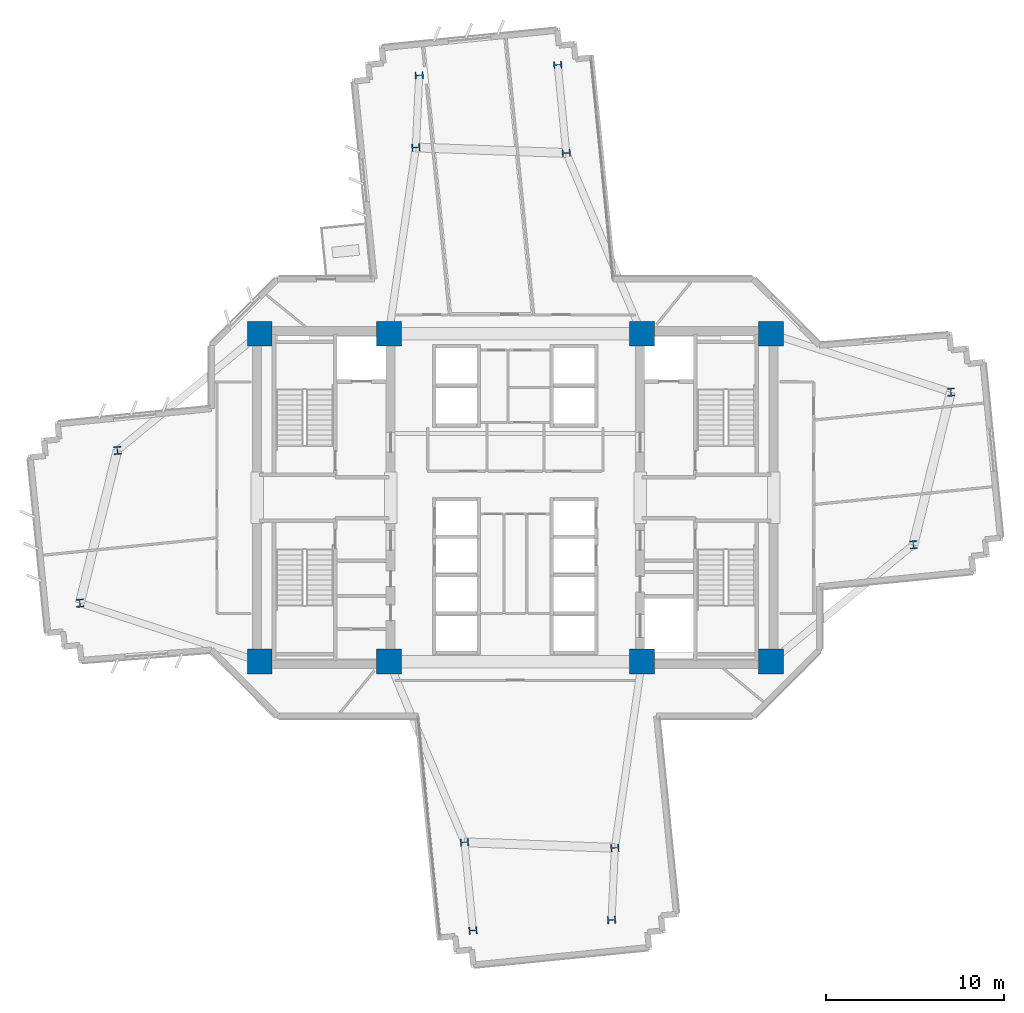
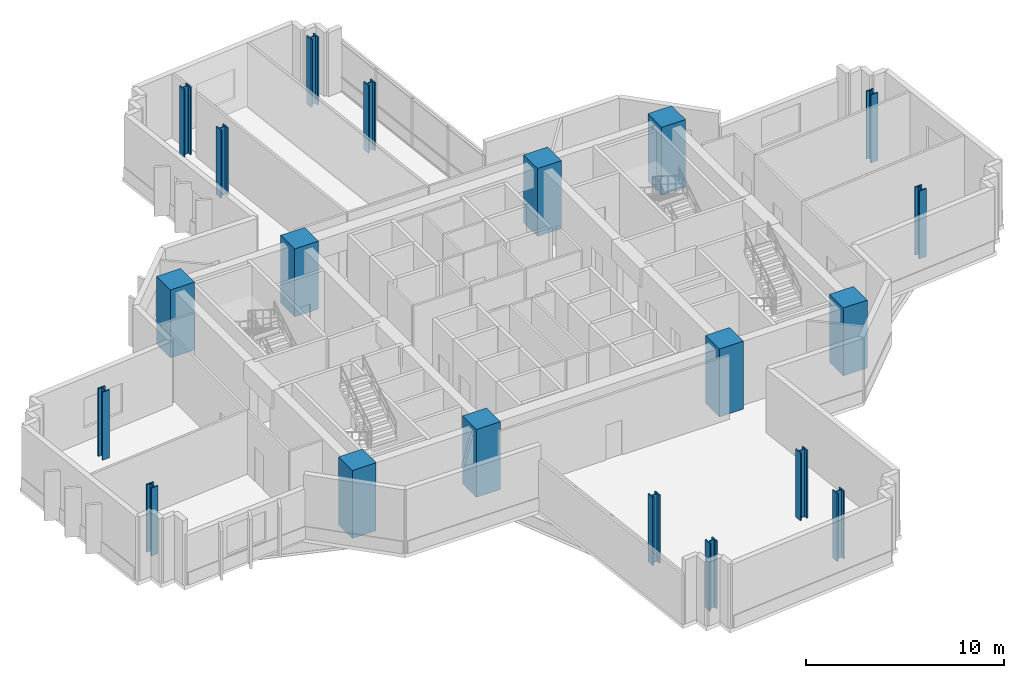
# One storey, part 1 of 14: 20 columns.
"""IFC4 building model written with IfcOpenShell, lengths in metres."""

from ifc_helpers import new_model, si_unit, direction, frame, origin, origin_2d, place, context, subcontext, project, spatial, rectangle, i_section, extrude, source, transform, mapped, material, material_profile, profile_set, type_object, element, save


model = new_model("IFC4")

# Units and contexts
model_context = context("Model", 3, precision=1e-05, world=origin(), true_north=direction((0.0, 1.0)))
body_context = subcontext(model_context, "Body", "Model", "MODEL_VIEW")
ifc_project = project(units=[si_unit("LENGTHUNIT", "METRE"), si_unit("AREAUNIT", "SQUARE_METRE"), si_unit("VOLUMEUNIT", "CUBIC_METRE"), si_unit("PLANEANGLEUNIT", "RADIAN"), si_unit("MASSUNIT", "GRAM", prefix="KILO")], contexts=[model_context])

# Site, building, storey
site_placement = place(None, origin())
site = spatial("IfcSite", under=ifc_project, at=site_placement, CompositionType="ELEMENT")
building_placement = place(site_placement, origin())
building = spatial("IfcBuilding", under=site, at=building_placement, Name="Zahravan Cultural Tower", CompositionType="ELEMENT")
storey_placement = place(building_placement, frame((0.0, 0.0, 96.300048828125)))
storey = spatial("IfcBuildingStorey", under=building, at=storey_placement, Name="L21", CompositionType="ELEMENT", Elevation=96.300048828125)

# Columns
ifc_material_1 = material(Name="Concrete C60/75", Category="concrete")
ifc_material_profile_1 = material_profile(ifc_material_1, rectangle(XDim=1.39990234375, YDim=1.39990234375, at=origin_2d()), Name="RC1400X1400")
ifc_profile_set_1 = profile_set([ifc_material_profile_1], Name="Concrete C60/75")
column_type_1 = type_object("IfcColumnType", Name="COL-RC1400", PredefinedType="COLUMN", material=ifc_profile_set_1)
shared_shape_1 = source(origin(), body_context, "Body", "SweptSolid", [
    extrude(rectangle(XDim=1.39990234375, YDim=1.39990234375, at=origin_2d()), origin(), (0.0, 0.0, 1.0), 4.199951171875),
])
for number, where, z_axis, x_axis, name in (
    (1, (21.64990234375, 17.800048828125, 0.0), (0.0, 0.0, 1.0), (1.0, 0.0, 0.0), "L21 Column CC-W1"),
    (2, (28.89990234375, 17.800048828125, 0.0), (0.0, 0.0, 1.0), (1.0, 0.0, 0.0), "L21 Column CC-W2"),
    (3, (21.64990234375, 36.199951171875, 0.0), (0.0, 0.0, 1.0), (1.0, 0.0, 0.0), "L21 Column CC-W3"),
    (4, (28.89990234375, 36.199951171875, 0.0), (0.0, 0.0, 1.0), (1.0, 0.0, 0.0), "L21 Column CC-W4"),
    (5, (43.10009765625, 17.800048828125, 0.0), (0.0, 0.0, 1.0), (1.0, 0.0, 0.0), "L21 Column CC-E1"),
    (6, (50.35009765625, 17.800048828125, 0.0), (0.0, 0.0, 1.0), (1.0, 0.0, 0.0), "L21 Column CC-E2"),
    (7, (43.10009765625, 36.199951171875, 0.0), (0.0, 0.0, 1.0), (1.0, 0.0, 0.0), "L21 Column CC-E3"),
    (8, (50.35009765625, 36.199951171875, 0.0), (0.0, 0.0, 1.0), (1.0, 0.0, 0.0), "L21 Column CC-E4"),
):
    element("IfcColumn", number, at=place(storey_placement, frame(where, z_axis=z_axis, x_axis=x_axis)), inside=storey, type_object=column_type_1, Name=name, PredefinedType="COLUMN", context=body_context, shape_type="MappedRepresentation", body=[
        mapped(shared_shape_1, transform((0.0, 0.0, 0.0), x_axis=(1.0, 0.0, 0.0), y_axis=(0.0, 1.0, 0.0), z_axis=(0.0, 0.0, 1.0), scale=1.0)),
    ])
ifc_material_2 = material(Name="Steel ASTM A992 Grade 50", Category="steel")
ifc_material_profile_2 = material_profile(ifc_material_2, i_section(OverallWidth=0.4208984375, OverallDepth=0.465087890625, WebThickness=0.044921875, FlangeThickness=0.072509765625, FilletRadius=0.01806640625, at=origin_2d()), Name="W14X398")
ifc_profile_set_2 = profile_set([ifc_material_profile_2], Name="Steel ASTM A992 Grade 50")
column_type_2 = type_object("IfcColumnType", Name="COL-W14X398", PredefinedType="COLUMN", material=ifc_profile_set_2)
shared_shape_2 = source(origin(), body_context, "Body", "SweptSolid", [
    extrude(i_section(OverallWidth=0.4208984375, OverallDepth=0.465087890625, WebThickness=0.044921875, FlangeThickness=0.072509765625, FilletRadius=0.01806640625, at=origin_2d()), origin(), (0.0, 0.0, 1.0), 4.199951171875),
])
for number, where, z_axis, x_axis, name in (
    (9, (58.339111328125, 24.351806640625, 0.0), (0.0, 0.0, 1.0), (0.99756405026, 0.069756473744, 0.0), "L21 Column Z1C-E1"),
    (10, (60.446533203125, 32.919677734375, 0.0), (0.0, 0.0, 1.0), (0.99756405026, 0.069756473744, 0.0), "L21 Column Z1C-E2"),
    (11, (38.857421875, 46.346435546875, 0.0), (0.0, 0.0, 1.0), (-0.069756473744, 0.99756405026, 0.0), "L21 Column Z1C-N1"),
    (12, (30.4150390625, 46.658203125, 0.0), (0.0, 0.0, 1.0), (-0.069756473744, 0.99756405026, 0.0), "L21 Column Z1C-N2"),
    (13, (13.660888671875, 29.648193359375, 0.0), (0.0, 0.0, 1.0), (0.99756405026, 0.069756473744, 0.0), "L21 Column Z1C-W1"),
    (14, (11.553466796875, 21.080322265625, 0.0), (0.0, 0.0, 1.0), (0.99756405026, 0.069756473744, 0.0), "L21 Column Z1C-W2"),
    (15, (33.142578125, 7.653564453125, 0.0), (0.0, 0.0, 1.0), (-0.069756473744, 0.99756405026, 0.0), "L21 Column Z1C-S1"),
    (16, (41.5849609375, 7.341796875, 0.0), (0.0, 0.0, 1.0), (-0.069756473744, 0.99756405026, 0.0), "L21 Column Z1C-S2"),
    (17, (38.379150390625, 51.29736328125, 0.0), (0.0, 0.0, 1.0), (-0.062790519529, 0.998026728428, 0.0), "L21 Column Z1T-N1"),
    (18, (30.6005859375, 50.707763671875, 0.0), (0.0, 0.0, 1.0), (-0.062790519529, 0.998026728428, 0.0), "L21 Column Z1T-N2"),
    (19, (33.620849609375, 2.70263671875, 0.0), (0.0, 0.0, 1.0), (-0.062790519529, 0.998026728428, 0.0), "L21 Column Z1T-S1"),
    (20, (41.3994140625, 3.292236328125, 0.0), (0.0, 0.0, 1.0), (-0.062790519529, 0.998026728428, 0.0), "L21 Column Z1T-S2"),
):
    element("IfcColumn", number, at=place(storey_placement, frame(where, z_axis=z_axis, x_axis=x_axis)), inside=storey, type_object=column_type_2, Name=name, PredefinedType="COLUMN", context=body_context, shape_type="MappedRepresentation", body=[
        mapped(shared_shape_2, transform((0.0, 0.0, 0.0), x_axis=(1.0, 0.0, 0.0), y_axis=(0.0, 1.0, 0.0), z_axis=(0.0, 0.0, 1.0), scale=1.0)),
    ])

save(model, "model.ifc")
